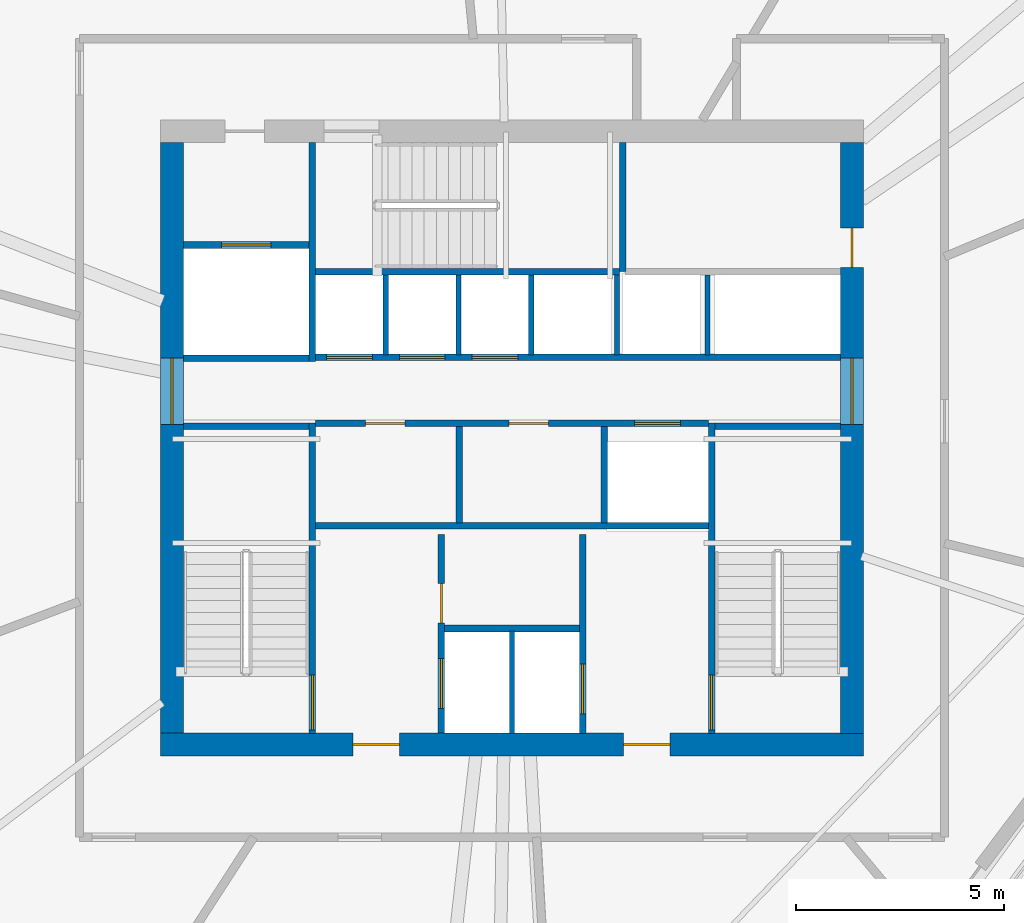
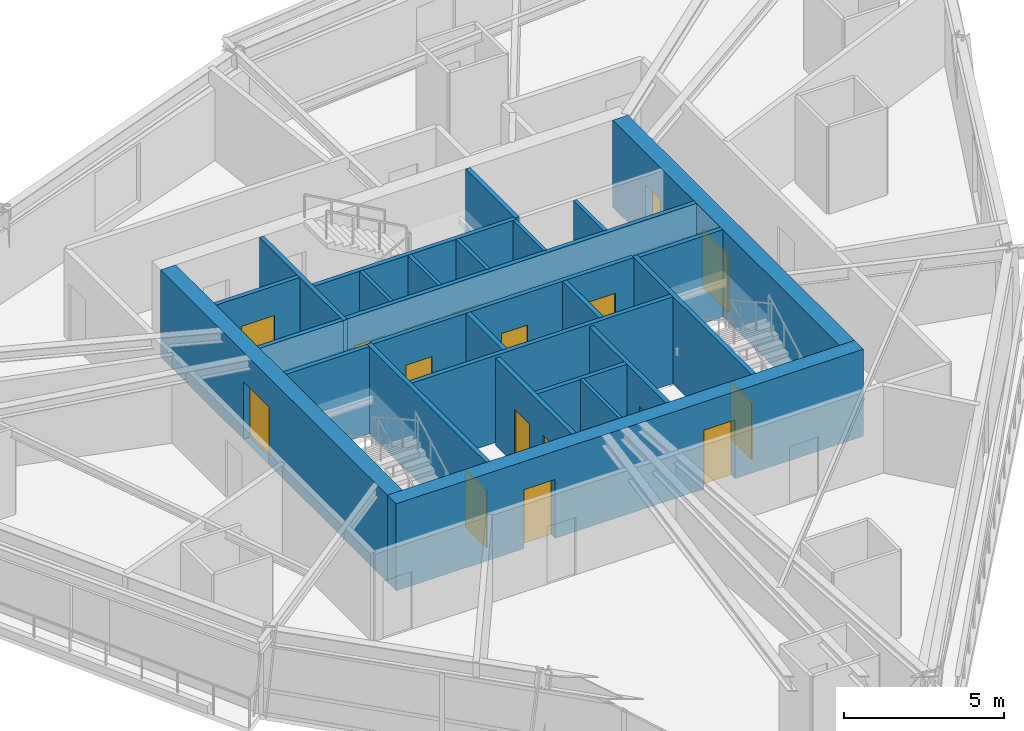
# One storey, part 9 of 14: 26 walls, 17 doors, 17 openings.
"""IFC4 building model written with IfcOpenShell, lengths in metres."""

from ifc_helpers import new_model, si_unit, direction, frame, frame_2d, origin, place, context, subcontext, project, spatial, rectangle, extrude, source, transform, mapped, material, layer, layer_set, type_object, type_shapes, element, fill, save


model = new_model("IFC4")

# Units and contexts
model_context = context("Model", 3, precision=1e-05, world=origin(), true_north=direction((0.0, 1.0)))
body_context = subcontext(model_context, "Body", "Model", "MODEL_VIEW")
ifc_project = project(units=[si_unit("LENGTHUNIT", "METRE"), si_unit("AREAUNIT", "SQUARE_METRE"), si_unit("VOLUMEUNIT", "CUBIC_METRE"), si_unit("PLANEANGLEUNIT", "RADIAN"), si_unit("MASSUNIT", "GRAM", prefix="KILO")], contexts=[model_context])

# Site, building, storey
site_placement = place(None, origin())
site = spatial("IfcSite", under=ifc_project, at=site_placement, CompositionType="ELEMENT")
building_placement = place(site_placement, origin())
building = spatial("IfcBuilding", under=site, at=building_placement, Name="Olszyna Solenne Hotel", CompositionType="ELEMENT")
storey_placement = place(building_placement, frame((0.0, 0.0, 182.10009765625)))
storey = spatial("IfcBuildingStorey", under=building, at=storey_placement, Name="L48", CompositionType="ELEMENT", Elevation=182.10009765625)

# Wall, openings, doors
ifc_material_1 = material(Name="Concrete C50/60", Category="concrete")
ifc_layer_1 = layer(ifc_material_1, 0.550048828125, Name="Concrete C50/60")
ifc_layer_set_1 = layer_set([ifc_layer_1], Name="Concrete C50/60")
wall_type_1 = type_object("IfcWallType", Name="WL-CR550", PredefinedType="SHEAR", material=ifc_layer_set_1)
wall_1_placement = place(storey_placement, frame((46.449951171875, 19.22509765625, 0.0), z_axis=(0.0, 0.0, 1.0), x_axis=(-1.0, 0.0, 0.0)))
wall_1 = element("IfcWall", 1, at=wall_1_placement, inside=storey, type_object=wall_type_1, Name="Core shear wall WL-CR550 CRW-L48-S", PredefinedType="SHEAR", context=body_context, shape_type="SweptSolid", body=[
    extrude(rectangle(XDim=16.89990234375, YDim=0.550048828125, at=frame_2d((8.449951171875, 0.0))), origin(), (0.0, 0.0, 1.0), 3.329833984375),
])
opening_1_placement = place(wall_1_placement, frame((4.64990234375, 0.0, 0.0)))
opening_1 = element("IfcOpeningElement", 2, at=opening_1_placement, cuts=wall_1, Name="Opening FL-L48-1", PredefinedType="OPENING", context=body_context, shape_type="SweptSolid", body=[
    extrude(rectangle(XDim=1.1201171875, YDim=2.25, at=frame_2d((0.56005859375, 1.125))), frame((0.0, 0.28515625, 0.0), z_axis=(0.0, -1.0, 0.0), x_axis=(1.0, 0.0, 0.0)), (0.0, 0.0, 1.0), 0.570068359375),
])
opening_2_placement = place(wall_1_placement, frame((11.14990234375, 0.0, 0.0)))
opening_2 = element("IfcOpeningElement", 3, at=opening_2_placement, cuts=wall_1, Name="Opening FL-L48-2", PredefinedType="OPENING", context=body_context, shape_type="SweptSolid", body=[
    extrude(rectangle(XDim=1.1201171875, YDim=2.25, at=frame_2d((0.56005859375, 1.125))), frame((0.0, 0.28515625, 0.0), z_axis=(0.0, -1.0, 0.0), x_axis=(1.0, 0.0, 0.0)), (0.0, 0.0, 1.0), 0.570068359375),
])
ifc_material_2 = material(Name="Steel S355J2", Category="steel")
door_type_1 = type_object("IfcDoorType", Name="DR-FL1", OperationType="NOTDEFINED", PredefinedType="DOOR", material=ifc_material_2)
shared_shape_1 = source(origin(), body_context, "Body", "SweptSolid", [
    extrude(rectangle(XDim=1.1201171875, YDim=2.25, at=frame_2d((0.56005859375, 1.125))), frame((0.0, 0.02490234375, 0.0), z_axis=(0.0, -1.0, 0.0), x_axis=(1.0, 0.0, 0.0)), (0.0, 0.0, 1.0), 0.050048828125),
])
type_shapes(door_type_1, [shared_shape_1])
door_1_placement = place(opening_1_placement, origin())
door_1 = element("IfcDoor", 4, at=door_1_placement, inside=storey, type_object=door_type_1, Name="Firefighting lift lobby smoke door FL-L48-1", OperationType="SINGLE_SWING_LEFT", OverallHeight=2.25, OverallWidth=1.1201171875, PredefinedType="DOOR", context=body_context, shape_type="MappedRepresentation", body=[
    mapped(shared_shape_1, transform((0.0, 0.0, 0.0), x_axis=(1.0, 0.0, 0.0), y_axis=(0.0, 1.0, 0.0), z_axis=(0.0, 0.0, 1.0), scale=1.0)),
])
fill(opening_1, door_1)
door_2_placement = place(opening_2_placement, origin())
door_2 = element("IfcDoor", 5, at=door_2_placement, inside=storey, type_object=door_type_1, Name="Firefighting lift lobby smoke door FL-L48-2", OperationType="SINGLE_SWING_RIGHT", OverallHeight=2.25, OverallWidth=1.1201171875, PredefinedType="DOOR", context=body_context, shape_type="MappedRepresentation", body=[
    mapped(shared_shape_1, transform((0.0, 0.0, 0.0), x_axis=(1.0, 0.0, 0.0), y_axis=(0.0, 1.0, 0.0), z_axis=(0.0, 0.0, 1.0), scale=1.0)),
])
fill(opening_2, door_2)

# Wall, opening, door
wall_2_placement = place(storey_placement, frame((29.824951171875, 19.5, 0.0), z_axis=(0.0, 0.0, 1.0), x_axis=(0.0, 1.0, 0.0)))
wall_2 = element("IfcWall", 6, at=wall_2_placement, inside=storey, type_object=wall_type_1, Name="Core shear wall WL-CR550 CRW-L48-W", PredefinedType="SHEAR", context=body_context, shape_type="SweptSolid", body=[
    extrude(rectangle(XDim=14.199951171875, YDim=0.550048828125, at=frame_2d((7.10009765625, 0.0))), origin(), (0.0, 0.0, 1.0), 3.329833984375),
])
opening_3_placement = place(wall_2_placement, frame((7.419921875, 0.0, 0.0)))
opening_3 = element("IfcOpeningElement", 7, at=opening_3_placement, cuts=wall_2, Name="Opening LHD-L48-W", PredefinedType="OPENING", context=body_context, shape_type="SweptSolid", body=[
    extrude(rectangle(XDim=1.60009765625, YDim=2.199951171875, at=frame_2d((0.800048828125, 1.10009765625))), frame((0.0, 0.28515625, 0.0), z_axis=(0.0, -1.0, 0.0), x_axis=(1.0, 0.0, 0.0)), (0.0, 0.0, 1.0), 0.570068359375),
])
ifc_material_3 = material(Name="Timber hardwood", Category="wood")
door_type_2 = type_object("IfcDoorType", Name="DR-CR1", OperationType="DOUBLE_DOOR_SINGLE_SWING", PredefinedType="DOOR", material=ifc_material_3)
shared_shape_2 = source(origin(), body_context, "Body", "SweptSolid", [
    extrude(rectangle(XDim=1.60009765625, YDim=2.199951171875, at=frame_2d((0.800048828125, 1.10009765625))), frame((0.0, 0.02490234375, 0.0), z_axis=(0.0, -1.0, 0.0), x_axis=(1.0, 0.0, 0.0)), (0.0, 0.0, 1.0), 0.050048828125),
])
type_shapes(door_type_2, [shared_shape_2])
door_3_placement = place(opening_3_placement, origin())
door_3 = element("IfcDoor", 8, at=door_3_placement, inside=storey, type_object=door_type_2, Name="Passenger lift lobby West fire door LHD-L48-W", OperationType="DOUBLE_DOOR_SINGLE_SWING", OverallHeight=2.199951171875, OverallWidth=1.60009765625, PredefinedType="DOOR", context=body_context, shape_type="MappedRepresentation", body=[
    mapped(shared_shape_2, transform((0.0, 0.0, 0.0), x_axis=(1.0, 0.0, 0.0), y_axis=(0.0, 1.0, 0.0), z_axis=(0.0, 0.0, 1.0), scale=1.0)),
])
fill(opening_3, door_3)

# Wall, openings, doors
wall_3_placement = place(storey_placement, frame((46.175048828125, 33.699951171875, 0.0), z_axis=(0.0, 0.0, 1.0), x_axis=(0.0, -1.0, 0.0)))
wall_3 = element("IfcWall", 9, at=wall_3_placement, inside=storey, type_object=wall_type_1, Name="Core shear wall WL-CR550 CRW-L48-E", PredefinedType="SHEAR", context=body_context, shape_type="SweptSolid", body=[
    extrude(rectangle(XDim=14.199951171875, YDim=0.550048828125, at=frame_2d((7.10009765625, 0.0))), origin(), (0.0, 0.0, 1.0), 3.329833984375),
])
opening_4_placement = place(wall_3_placement, frame((5.179931640625, 0.0, 0.0)))
opening_4 = element("IfcOpeningElement", 10, at=opening_4_placement, cuts=wall_3, Name="Opening LHD-L48-E", PredefinedType="OPENING", context=body_context, shape_type="SweptSolid", body=[
    extrude(rectangle(XDim=1.60009765625, YDim=2.199951171875, at=frame_2d((0.800048828125, 1.10009765625))), frame((0.0, 0.28515625, 0.0), z_axis=(0.0, -1.0, 0.0), x_axis=(1.0, 0.0, 0.0)), (0.0, 0.0, 1.0), 0.570068359375),
])
opening_5_placement = place(wall_3_placement, frame((2.050048828125, 0.0, 0.0)))
opening_5 = element("IfcOpeningElement", 11, at=opening_5_placement, cuts=wall_3, Name="Opening SVD-L48-BE", PredefinedType="OPENING", context=body_context, shape_type="SweptSolid", body=[
    extrude(rectangle(XDim=0.949951171875, YDim=2.10009765625, at=frame_2d((0.47509765625, 1.050048828125))), frame((0.0, 0.28515625, 0.0), z_axis=(0.0, -1.0, 0.0), x_axis=(1.0, 0.0, 0.0)), (0.0, 0.0, 1.0), 0.570068359375),
])
door_type_3 = type_object("IfcDoorType", Name="DR-SV1", OperationType="NOTDEFINED", PredefinedType="DOOR", material=ifc_material_2)
shared_shape_3 = source(origin(), body_context, "Body", "SweptSolid", [
    extrude(rectangle(XDim=0.949951171875, YDim=2.10009765625, at=frame_2d((0.47509765625, 1.050048828125))), frame((0.0, 0.02490234375, 0.0), z_axis=(0.0, -1.0, 0.0), x_axis=(1.0, 0.0, 0.0)), (0.0, 0.0, 1.0), 0.050048828125),
])
type_shapes(door_type_3, [shared_shape_3])
door_4_placement = place(opening_5_placement, origin())
door_4 = element("IfcDoor", 12, at=door_4_placement, inside=storey, type_object=door_type_3, Name="Housekeeping core fire door SVD-L48-BE", OperationType="SINGLE_SWING_RIGHT", OverallHeight=2.10009765625, OverallWidth=0.949951171875, PredefinedType="DOOR", context=body_context, shape_type="MappedRepresentation", body=[
    mapped(shared_shape_3, transform((0.0, 0.0, 0.0), x_axis=(1.0, 0.0, 0.0), y_axis=(0.0, 1.0, 0.0), z_axis=(0.0, 0.0, 1.0), scale=1.0)),
])
fill(opening_5, door_4)
door_5_placement = place(opening_4_placement, origin())
door_5 = element("IfcDoor", 13, at=door_5_placement, inside=storey, type_object=door_type_2, Name="Passenger lift lobby East fire door LHD-L48-E", OperationType="DOUBLE_DOOR_SINGLE_SWING", OverallHeight=2.199951171875, OverallWidth=1.60009765625, PredefinedType="DOOR", context=body_context, shape_type="MappedRepresentation", body=[
    mapped(shared_shape_2, transform((0.0, 0.0, 0.0), x_axis=(1.0, 0.0, 0.0), y_axis=(0.0, 1.0, 0.0), z_axis=(0.0, 0.0, 1.0), scale=1.0)),
])
fill(opening_4, door_5)

# Walls
ifc_material_4 = material(Name="Acoustic gypsum partition", Category="gypsum")
ifc_layer_2 = layer(ifc_material_4, 0.125, Name="Acoustic gypsum partition")
ifc_layer_set_2 = layer_set([ifc_layer_2], Name="Acoustic gypsum partition")
wall_type_2 = type_object("IfcWallType", Name="WL-PT125", PredefinedType="PARTITIONING", material=ifc_layer_set_2)
wall_4_placement = place(storey_placement, frame((38.0, 19.5, 0.0), z_axis=(0.0, 0.0, 1.0), x_axis=(0.0, 1.0, 0.0)))
element("IfcWall", 14, at=wall_4_placement, inside=storey, type_object=wall_type_2, Name="Core shaft compartment wall CW-L48-FFM", PredefinedType="PARTITIONING", context=body_context, shape_type="SweptSolid", body=[
    extrude(rectangle(XDim=2.4599609375, YDim=0.125, at=frame_2d((1.22998046875, 0.0))), origin(), (0.0, 0.0, 1.0), 3.329833984375),
])
for number, where, z_axis, x_axis, name in (
    (15, (34.965087890625, 28.60009765625, 0.0), (0.0, 0.0, 1.0), (0.0, 1.0, 0.0), "Core shaft compartment wall CW-L48-DIVN349"),
    (16, (36.715087890625, 28.60009765625, 0.0), (0.0, 0.0, 1.0), (0.0, 1.0, 0.0), "Core shaft compartment wall CW-L48-DIVN367"),
    (17, (38.465087890625, 28.60009765625, 0.0), (0.0, 0.0, 1.0), (0.0, 1.0, 0.0), "Core shaft compartment wall CW-L48-DIVN384"),
    (18, (40.52490234375, 28.60009765625, 0.0), (0.0, 0.0, 1.0), (0.0, 1.0, 0.0), "Core shaft compartment wall CW-L48-DIVEX405"),
    (19, (42.699951171875, 28.60009765625, 0.0), (0.0, 0.0, 1.0), (0.0, 1.0, 0.0), "Core shaft compartment wall CW-L48-DIVEX427"),
):
    element("IfcWall", number, at=place(storey_placement, frame(where, z_axis=z_axis, x_axis=x_axis)), inside=storey, type_object=wall_type_2, Name=name, PredefinedType="PARTITIONING", context=body_context, shape_type="SweptSolid", body=[
        extrude(rectangle(XDim=1.919921875, YDim=0.125, at=frame_2d((0.9599609375, 0.0))), origin(), (0.0, 0.0, 1.0), 3.329833984375),
    ])

# Wall, opening, door
ifc_layer_3 = layer(ifc_material_4, 0.159912109375, Name="Acoustic gypsum partition")
ifc_layer_set_3 = layer_set([ifc_layer_3], Name="Acoustic gypsum partition")
wall_type_3 = type_object("IfcWallType", Name="WL-PT160", PredefinedType="PARTITIONING", material=ifc_layer_set_3)
wall_5_placement = place(storey_placement, frame((33.199951171875, 19.5, 0.0), z_axis=(0.0, 0.0, 1.0), x_axis=(0.0, 1.0, 0.0)))
wall_5 = element("IfcWall", 20, at=wall_5_placement, inside=storey, type_object=wall_type_3, Name="Core shaft compartment wall CW-L48-ST1E", PredefinedType="PARTITIONING", context=body_context, shape_type="SweptSolid", body=[
    extrude(rectangle(XDim=7.4599609375, YDim=0.159912109375, at=frame_2d((3.72998046875, 0.0))), origin(), (0.0, 0.0, 1.0), 3.329833984375),
])
opening_6_placement = place(wall_5_placement, frame((0.080078125, 0.0, 0.0)))
opening_6 = element("IfcOpeningElement", 21, at=opening_6_placement, cuts=wall_5, Name="Opening STD-L48-01", PredefinedType="OPENING", context=body_context, shape_type="SweptSolid", body=[
    extrude(rectangle(XDim=1.320068359375, YDim=2.199951171875, at=frame_2d((0.66015625, 1.10009765625))), frame((0.0, 0.08984375, 0.0), z_axis=(0.0, -1.0, 0.0), x_axis=(1.0, 0.0, 0.0)), (0.0, 0.0, 1.0), 0.179931640625),
])
door_type_4 = type_object("IfcDoorType", Name="DR-ST1", OperationType="NOTDEFINED", PredefinedType="DOOR", material=ifc_material_2)
shared_shape_4 = source(origin(), body_context, "Body", "SweptSolid", [
    extrude(rectangle(XDim=1.320068359375, YDim=2.199951171875, at=frame_2d((0.66015625, 1.10009765625))), frame((0.0, 0.02490234375, 0.0), z_axis=(0.0, -1.0, 0.0), x_axis=(1.0, 0.0, 0.0)), (0.0, 0.0, 1.0), 0.050048828125),
])
type_shapes(door_type_4, [shared_shape_4])
door_6_placement = place(opening_6_placement, origin())
door_6 = element("IfcDoor", 22, at=door_6_placement, inside=storey, type_object=door_type_4, Name="Pressurised exit stair ST1 fire door STD-L48-01", OperationType="SINGLE_SWING_LEFT", OverallHeight=2.199951171875, OverallWidth=1.320068359375, PredefinedType="DOOR", context=body_context, shape_type="MappedRepresentation", body=[
    mapped(shared_shape_4, transform((0.0, 0.0, 0.0), x_axis=(1.0, 0.0, 0.0), y_axis=(0.0, 1.0, 0.0), z_axis=(0.0, 0.0, 1.0), scale=1.0)),
])
fill(opening_6, door_6)

# Wall
wall_6_placement = place(storey_placement, frame((30.10009765625, 26.8798828125, 0.0), z_axis=(0.0, 0.0, 1.0), x_axis=(1.0, 0.0, 0.0)))
element("IfcWall", 23, at=wall_6_placement, inside=storey, type_object=wall_type_3, Name="Core shaft compartment wall CW-L48-ST1N", PredefinedType="PARTITIONING", context=body_context, shape_type="SweptSolid", body=[
    extrude(rectangle(XDim=3.02001953125, YDim=0.159912109375, at=frame_2d((1.510009765625, 0.0))), origin(), (0.0, 0.0, 1.0), 3.329833984375),
])

# Wall, opening, door
wall_7_placement = place(storey_placement, frame((42.800048828125, 26.9599609375, 0.0), z_axis=(0.0, 0.0, 1.0), x_axis=(0.0, -1.0, 0.0)))
wall_7 = element("IfcWall", 24, at=wall_7_placement, inside=storey, type_object=wall_type_3, Name="Core shaft compartment wall CW-L48-ST2W", PredefinedType="PARTITIONING", context=body_context, shape_type="SweptSolid", body=[
    extrude(rectangle(XDim=7.4599609375, YDim=0.159912109375, at=frame_2d((3.72998046875, 0.0))), origin(), (0.0, 0.0, 1.0), 3.329833984375),
])
opening_7_placement = place(wall_7_placement, frame((6.06005859375, 0.0, 0.0)))
opening_7 = element("IfcOpeningElement", 25, at=opening_7_placement, cuts=wall_7, Name="Opening STD-L48-02", PredefinedType="OPENING", context=body_context, shape_type="SweptSolid", body=[
    extrude(rectangle(XDim=1.320068359375, YDim=2.199951171875, at=frame_2d((0.66015625, 1.10009765625))), frame((0.0, 0.08984375, 0.0), z_axis=(0.0, -1.0, 0.0), x_axis=(1.0, 0.0, 0.0)), (0.0, 0.0, 1.0), 0.179931640625),
])
door_7_placement = place(opening_7_placement, origin())
door_7 = element("IfcDoor", 26, at=door_7_placement, inside=storey, type_object=door_type_4, Name="Pressurised exit stair ST2 fire door STD-L48-02", OperationType="SINGLE_SWING_RIGHT", OverallHeight=2.199951171875, OverallWidth=1.320068359375, PredefinedType="DOOR", context=body_context, shape_type="MappedRepresentation", body=[
    mapped(shared_shape_4, transform((0.0, 0.0, 0.0), x_axis=(1.0, 0.0, 0.0), y_axis=(0.0, 1.0, 0.0), z_axis=(0.0, 0.0, 1.0), scale=1.0)),
])
fill(opening_7, door_7)

# Walls
wall_8_placement = place(storey_placement, frame((42.8798828125, 26.8798828125, 0.0), z_axis=(0.0, 0.0, 1.0), x_axis=(1.0, 0.0, 0.0)))
element("IfcWall", 27, at=wall_8_placement, inside=storey, type_object=wall_type_3, Name="Core shaft compartment wall CW-L48-ST2N", PredefinedType="PARTITIONING", context=body_context, shape_type="SweptSolid", body=[
    extrude(rectangle(XDim=3.02001953125, YDim=0.159912109375, at=frame_2d((1.510009765625, 0.0))), origin(), (0.0, 0.0, 1.0), 3.329833984375),
])
wall_9_placement = place(storey_placement, frame((33.280029296875, 30.60009765625, 0.0), z_axis=(0.0, 0.0, 1.0), x_axis=(1.0, 0.0, 0.0)))
element("IfcWall", 28, at=wall_9_placement, inside=storey, type_object=wall_type_3, Name="Core shaft compartment wall CW-L48-ST3S", PredefinedType="PARTITIONING", context=body_context, shape_type="SweptSolid", body=[
    extrude(rectangle(XDim=7.300048828125, YDim=0.159912109375, at=frame_2d((3.64990234375, 0.0))), origin(), (0.0, 0.0, 1.0), 3.329833984375),
])
wall_10_placement = place(storey_placement, frame((40.659912109375, 30.60009765625, 0.0), z_axis=(0.0, 0.0, 1.0), x_axis=(0.0, 1.0, 0.0)))
element("IfcWall", 29, at=wall_10_placement, inside=storey, type_object=wall_type_3, Name="Core shaft compartment wall CW-L48-ST3E", PredefinedType="PARTITIONING", context=body_context, shape_type="SweptSolid", body=[
    extrude(rectangle(XDim=3.099853515625, YDim=0.159912109375, at=frame_2d((1.5498046875, 0.0))), origin(), (0.0, 0.0, 1.0), 3.329833984375),
])

# Wall, openings, doors
wall_11_placement = place(storey_placement, frame((36.300048828125, 19.5, 0.0), z_axis=(0.0, 0.0, 1.0), x_axis=(0.0, 1.0, 0.0)))
wall_11 = element("IfcWall", 30, at=wall_11_placement, inside=storey, type_object=wall_type_3, Name="Core shaft compartment wall CW-L48-FF1W", PredefinedType="PARTITIONING", context=body_context, shape_type="SweptSolid", body=[
    extrude(rectangle(XDim=4.780029296875, YDim=0.159912109375, at=frame_2d((2.39013671875, 0.0))), origin(), (0.0, 0.0, 1.0), 3.329833984375),
])
opening_8_placement = place(wall_11_placement, frame((0.60009765625, 0.0, 0.0)))
opening_8 = element("IfcOpeningElement", 31, at=opening_8_placement, cuts=wall_11, Name="Opening LD-L48-FF1", PredefinedType="OPENING", context=body_context, shape_type="SweptSolid", body=[
    extrude(rectangle(XDim=1.199951171875, YDim=2.199951171875, at=frame_2d((0.60009765625, 1.10009765625))), frame((0.0, 0.08984375, 0.0), z_axis=(0.0, -1.0, 0.0), x_axis=(1.0, 0.0, 0.0)), (0.0, 0.0, 1.0), 0.179931640625),
])
opening_9_placement = place(wall_11_placement, frame((2.64990234375, 0.0, 0.0)))
opening_9 = element("IfcOpeningElement", 32, at=opening_9_placement, cuts=wall_11, Name="Opening SVD-L48-SMK", PredefinedType="OPENING", context=body_context, shape_type="SweptSolid", body=[
    extrude(rectangle(XDim=0.949951171875, YDim=2.10009765625, at=frame_2d((0.47509765625, 1.050048828125))), frame((0.0, 0.08984375, 0.0), z_axis=(0.0, -1.0, 0.0), x_axis=(1.0, 0.0, 0.0)), (0.0, 0.0, 1.0), 0.179931640625),
])
door_8_placement = place(opening_9_placement, origin())
door_8 = element("IfcDoor", 33, at=door_8_placement, inside=storey, type_object=door_type_3, Name="Valet and core service room door SVD-L48-SMK", OperationType="SINGLE_SWING_LEFT", OverallHeight=2.10009765625, OverallWidth=0.949951171875, PredefinedType="DOOR", context=body_context, shape_type="MappedRepresentation", body=[
    mapped(shared_shape_3, transform((0.0, 0.0, 0.0), x_axis=(1.0, 0.0, 0.0), y_axis=(0.0, 1.0, 0.0), z_axis=(0.0, 0.0, 1.0), scale=1.0)),
])
fill(opening_9, door_8)
door_type_5 = type_object("IfcDoorType", Name="LD-FF1", OperationType="DOUBLE_DOOR_SLIDING", PredefinedType="DOOR", material=ifc_material_2)
shared_shape_5 = source(origin(), body_context, "Body", "SweptSolid", [
    extrude(rectangle(XDim=1.199951171875, YDim=2.199951171875, at=frame_2d((0.60009765625, 1.10009765625))), frame((0.0, 0.02490234375, 0.0), z_axis=(0.0, -1.0, 0.0), x_axis=(1.0, 0.0, 0.0)), (0.0, 0.0, 1.0), 0.050048828125),
])
type_shapes(door_type_5, [shared_shape_5])
door_9_placement = place(opening_8_placement, origin())
door_9 = element("IfcDoor", 34, at=door_9_placement, inside=storey, type_object=door_type_5, Name="Firefighters lift FF1 sliding landing door LD-L48-FF1", OperationType="DOUBLE_DOOR_SLIDING", OverallHeight=2.199951171875, OverallWidth=1.199951171875, PredefinedType="DOOR", context=body_context, shape_type="MappedRepresentation", body=[
    mapped(shared_shape_5, transform((0.0, 0.0, 0.0), x_axis=(1.0, 0.0, 0.0), y_axis=(0.0, 1.0, 0.0), z_axis=(0.0, 0.0, 1.0), scale=1.0)),
])
fill(opening_8, door_9)

# Wall, opening, door
wall_12_placement = place(storey_placement, frame((39.699951171875, 24.280029296875, 0.0), z_axis=(0.0, 0.0, 1.0), x_axis=(0.0, -1.0, 0.0)))
wall_12 = element("IfcWall", 35, at=wall_12_placement, inside=storey, type_object=wall_type_3, Name="Core shaft compartment wall CW-L48-FF2E", PredefinedType="PARTITIONING", context=body_context, shape_type="SweptSolid", body=[
    extrude(rectangle(XDim=4.780029296875, YDim=0.159912109375, at=frame_2d((2.39013671875, 0.0))), origin(), (0.0, 0.0, 1.0), 3.329833984375),
])
opening_10_placement = place(wall_12_placement, frame((3.1201171875, 0.0, 0.0)))
opening_10 = element("IfcOpeningElement", 36, at=opening_10_placement, cuts=wall_12, Name="Opening LD-L48-FF2", PredefinedType="OPENING", context=body_context, shape_type="SweptSolid", body=[
    extrude(rectangle(XDim=1.199951171875, YDim=2.199951171875, at=frame_2d((0.60009765625, 1.10009765625))), frame((0.0, 0.08984375, 0.0), z_axis=(0.0, -1.0, 0.0), x_axis=(1.0, 0.0, 0.0)), (0.0, 0.0, 1.0), 0.179931640625),
])
door_10_placement = place(opening_10_placement, origin())
door_10 = element("IfcDoor", 37, at=door_10_placement, inside=storey, type_object=door_type_5, Name="Firefighters lift FF2 sliding landing door LD-L48-FF2", OperationType="DOUBLE_DOOR_SLIDING", OverallHeight=2.199951171875, OverallWidth=1.199951171875, PredefinedType="DOOR", context=body_context, shape_type="MappedRepresentation", body=[
    mapped(shared_shape_5, transform((0.0, 0.0, 0.0), x_axis=(1.0, 0.0, 0.0), y_axis=(0.0, 1.0, 0.0), z_axis=(0.0, 0.0, 1.0), scale=1.0)),
])
fill(opening_10, door_10)

# Walls
wall_13_placement = place(storey_placement, frame((36.3798828125, 22.02001953125, 0.0), z_axis=(0.0, 0.0, 1.0), x_axis=(1.0, 0.0, 0.0)))
element("IfcWall", 38, at=wall_13_placement, inside=storey, type_object=wall_type_3, Name="Core shaft compartment wall CW-L48-FFN", PredefinedType="PARTITIONING", context=body_context, shape_type="SweptSolid", body=[
    extrude(rectangle(XDim=3.240234375, YDim=0.159912109375, at=frame_2d((1.6201171875, 0.0))), origin(), (0.0, 0.0, 1.0), 3.329833984375),
])
wall_14_placement = place(storey_placement, frame((33.280029296875, 24.489990234375, 0.0), z_axis=(0.0, 0.0, 1.0), x_axis=(1.0, 0.0, 0.0)))
element("IfcWall", 39, at=wall_14_placement, inside=storey, type_object=wall_type_3, Name="Core shaft compartment wall CW-L48-FFBN", PredefinedType="PARTITIONING", context=body_context, shape_type="SweptSolid", body=[
    extrude(rectangle(XDim=9.43994140625, YDim=0.159912109375, at=frame_2d((4.719970703125, 0.0))), origin(), (0.0, 0.0, 1.0), 3.329833984375),
])
wall_15_placement = place(storey_placement, frame((30.10009765625, 28.52001953125, 0.0), z_axis=(0.0, 0.0, 1.0), x_axis=(1.0, 0.0, 0.0)))
element("IfcWall", 40, at=wall_15_placement, inside=storey, type_object=wall_type_3, Name="Core shaft compartment wall CW-L48-SV1S", PredefinedType="PARTITIONING", context=body_context, shape_type="SweptSolid", body=[
    extrude(rectangle(XDim=3.02001953125, YDim=0.159912109375, at=frame_2d((1.510009765625, 0.0))), origin(), (0.0, 0.0, 1.0), 3.329833984375),
])
wall_16_placement = place(storey_placement, frame((33.199951171875, 28.43994140625, 0.0), z_axis=(0.0, 0.0, 1.0), x_axis=(0.0, 1.0, 0.0)))
element("IfcWall", 41, at=wall_16_placement, inside=storey, type_object=wall_type_3, Name="Core shaft compartment wall CW-L48-SV1E", PredefinedType="PARTITIONING", context=body_context, shape_type="SweptSolid", body=[
    extrude(rectangle(XDim=5.260009765625, YDim=0.159912109375, at=frame_2d((2.6298828125, 0.0))), origin(), (0.0, 0.0, 1.0), 3.329833984375),
])

# Wall, opening, door
wall_17_placement = place(storey_placement, frame((30.10009765625, 31.239990234375, 0.0), z_axis=(0.0, 0.0, 1.0), x_axis=(1.0, 0.0, 0.0)))
wall_17 = element("IfcWall", 42, at=wall_17_placement, inside=storey, type_object=wall_type_3, Name="Core shaft compartment wall CW-L48-SV1N", PredefinedType="PARTITIONING", context=body_context, shape_type="SweptSolid", body=[
    extrude(rectangle(XDim=3.02001953125, YDim=0.159912109375, at=frame_2d((1.510009765625, 0.0))), origin(), (0.0, 0.0, 1.0), 3.329833984375),
])
opening_11_placement = place(wall_17_placement, frame((0.909912109375, 0.0, 0.0)))
opening_11 = element("IfcOpeningElement", 43, at=opening_11_placement, cuts=wall_17, Name="Opening LD-L48-SV1", PredefinedType="OPENING", context=body_context, shape_type="SweptSolid", body=[
    extrude(rectangle(XDim=1.199951171875, YDim=2.199951171875, at=frame_2d((0.60009765625, 1.10009765625))), frame((0.0, 0.08984375, 0.0), z_axis=(0.0, -1.0, 0.0), x_axis=(1.0, 0.0, 0.0)), (0.0, 0.0, 1.0), 0.179931640625),
])
door_11_placement = place(opening_11_placement, origin())
door_11 = element("IfcDoor", 44, at=door_11_placement, inside=storey, type_object=door_type_5, Name="Service lift SV1 sliding landing door LD-L48-SV1", OperationType="DOUBLE_DOOR_SLIDING", OverallHeight=2.199951171875, OverallWidth=1.199951171875, PredefinedType="DOOR", context=body_context, shape_type="MappedRepresentation", body=[
    mapped(shared_shape_5, transform((0.0, 0.0, 0.0), x_axis=(1.0, 0.0, 0.0), y_axis=(0.0, 1.0, 0.0), z_axis=(0.0, 0.0, 1.0), scale=1.0)),
])
fill(opening_11, door_11)

# Wall, openings, doors
wall_18_placement = place(storey_placement, frame((33.280029296875, 26.949951171875, 0.0), z_axis=(0.0, 0.0, 1.0), x_axis=(1.0, 0.0, 0.0)))
wall_18 = element("IfcWall", 45, at=wall_18_placement, inside=storey, type_object=wall_type_3, Name="Core shaft compartment wall CW-L48-LRS", PredefinedType="PARTITIONING", context=body_context, shape_type="SweptSolid", body=[
    extrude(rectangle(XDim=9.43994140625, YDim=0.159912109375, at=frame_2d((4.719970703125, 0.0))), origin(), (0.0, 0.0, 1.0), 3.329833984375),
])
opening_12_placement = place(wall_18_placement, frame((1.199951171875, 0.0, 0.0)))
opening_12 = element("IfcOpeningElement", 46, at=opening_12_placement, cuts=wall_18, Name="Opening SVD-L48-L71", PredefinedType="OPENING", context=body_context, shape_type="SweptSolid", body=[
    extrude(rectangle(XDim=0.949951171875, YDim=2.10009765625, at=frame_2d((0.47509765625, 1.050048828125))), frame((0.0, 0.08984375, 0.0), z_axis=(0.0, -1.0, 0.0), x_axis=(1.0, 0.0, 0.0)), (0.0, 0.0, 1.0), 0.179931640625),
])
opening_13_placement = place(wall_18_placement, frame((4.64990234375, 0.0, 0.0)))
opening_13 = element("IfcOpeningElement", 47, at=opening_13_placement, cuts=wall_18, Name="Opening SVD-L48-L72", PredefinedType="OPENING", context=body_context, shape_type="SweptSolid", body=[
    extrude(rectangle(XDim=0.949951171875, YDim=2.10009765625, at=frame_2d((0.47509765625, 1.050048828125))), frame((0.0, 0.08984375, 0.0), z_axis=(0.0, -1.0, 0.0), x_axis=(1.0, 0.0, 0.0)), (0.0, 0.0, 1.0), 0.179931640625),
])
opening_14_placement = place(wall_18_placement, frame((7.669921875, 0.0, 0.0)))
opening_14 = element("IfcOpeningElement", 48, at=opening_14_placement, cuts=wall_18, Name="Opening LD-L48-PL5", PredefinedType="OPENING", context=body_context, shape_type="SweptSolid", body=[
    extrude(rectangle(XDim=1.10009765625, YDim=2.199951171875, at=frame_2d((0.550048828125, 1.10009765625))), frame((0.0, 0.08984375, 0.0), z_axis=(0.0, -1.0, 0.0), x_axis=(1.0, 0.0, 0.0)), (0.0, 0.0, 1.0), 0.179931640625),
])
door_12_placement = place(opening_12_placement, origin())
door_12 = element("IfcDoor", 49, at=door_12_placement, inside=storey, type_object=door_type_3, Name="Recaptured core room fire door SVD-L48-L71", OperationType="SINGLE_SWING_LEFT", OverallHeight=2.10009765625, OverallWidth=0.949951171875, PredefinedType="DOOR", context=body_context, shape_type="MappedRepresentation", body=[
    mapped(shared_shape_3, transform((0.0, 0.0, 0.0), x_axis=(1.0, 0.0, 0.0), y_axis=(0.0, 1.0, 0.0), z_axis=(0.0, 0.0, 1.0), scale=1.0)),
])
fill(opening_12, door_12)
door_13_placement = place(opening_13_placement, origin())
door_13 = element("IfcDoor", 50, at=door_13_placement, inside=storey, type_object=door_type_3, Name="Recaptured core room fire door SVD-L48-L72", OperationType="SINGLE_SWING_RIGHT", OverallHeight=2.10009765625, OverallWidth=0.949951171875, PredefinedType="DOOR", context=body_context, shape_type="MappedRepresentation", body=[
    mapped(shared_shape_3, transform((0.0, 0.0, 0.0), x_axis=(1.0, 0.0, 0.0), y_axis=(0.0, 1.0, 0.0), z_axis=(0.0, 0.0, 1.0), scale=1.0)),
])
fill(opening_13, door_13)
door_type_6 = type_object("IfcDoorType", Name="LD-P1", OperationType="DOUBLE_DOOR_SLIDING", PredefinedType="DOOR", material=ifc_material_2)
shared_shape_6 = source(origin(), body_context, "Body", "SweptSolid", [
    extrude(rectangle(XDim=1.10009765625, YDim=2.199951171875, at=frame_2d((0.550048828125, 1.10009765625))), frame((0.0, 0.02490234375, 0.0), z_axis=(0.0, -1.0, 0.0), x_axis=(1.0, 0.0, 0.0)), (0.0, 0.0, 1.0), 0.050048828125),
])
type_shapes(door_type_6, [shared_shape_6])
door_14_placement = place(opening_14_placement, origin())
door_14 = element("IfcDoor", 51, at=door_14_placement, inside=storey, type_object=door_type_6, Name="Passenger lift PL5 sliding landing door LD-L48-PL5", OperationType="DOUBLE_DOOR_SLIDING", OverallHeight=2.199951171875, OverallWidth=1.10009765625, PredefinedType="DOOR", context=body_context, shape_type="MappedRepresentation", body=[
    mapped(shared_shape_6, transform((0.0, 0.0, 0.0), x_axis=(1.0, 0.0, 0.0), y_axis=(0.0, 1.0, 0.0), z_axis=(0.0, 0.0, 1.0), scale=1.0)),
])
fill(opening_14, door_14)

# Walls
for number, where, z_axis, x_axis, name in (
    (52, (36.72998046875, 24.56005859375, 0.0), (0.0, 0.0, 1.0), (0.0, 1.0, 0.0), "Core shaft compartment wall CW-L48-LV7DIV1"),
    (53, (40.215087890625, 24.56005859375, 0.0), (0.0, 0.0, 1.0), (0.0, 1.0, 0.0), "Core shaft compartment wall CW-L48-LV7DIV2"),
):
    element("IfcWall", number, at=place(storey_placement, frame(where, z_axis=z_axis, x_axis=x_axis)), inside=storey, type_object=wall_type_3, Name=name, PredefinedType="PARTITIONING", context=body_context, shape_type="SweptSolid", body=[
        extrude(rectangle(XDim=2.31005859375, YDim=0.159912109375, at=frame_2d((1.155029296875, 0.0))), origin(), (0.0, 0.0, 1.0), 3.329833984375),
    ])

# Wall, openings, doors
wall_19_placement = place(storey_placement, frame((33.280029296875, 28.5400390625, 0.0), z_axis=(0.0, 0.0, 1.0), x_axis=(1.0, 0.0, 0.0)))
wall_19 = element("IfcWall", 54, at=wall_19_placement, inside=storey, type_object=wall_type_3, Name="Core shaft compartment wall CW-L48-LRN", PredefinedType="PARTITIONING", context=body_context, shape_type="SweptSolid", body=[
    extrude(rectangle(XDim=12.619873046875, YDim=0.159912109375, at=frame_2d((6.31005859375, 0.0))), origin(), (0.0, 0.0, 1.0), 3.329833984375),
])
opening_15_placement = place(wall_19_placement, frame((0.260009765625, 0.0, 0.0)))
opening_15 = element("IfcOpeningElement", 55, at=opening_15_placement, cuts=wall_19, Name="Opening LD-L48-PL6", PredefinedType="OPENING", context=body_context, shape_type="SweptSolid", body=[
    extrude(rectangle(XDim=1.10009765625, YDim=2.199951171875, at=frame_2d((0.550048828125, 1.10009765625))), frame((0.0, 0.08984375, 0.0), z_axis=(0.0, -1.0, 0.0), x_axis=(1.0, 0.0, 0.0)), (0.0, 0.0, 1.0), 0.179931640625),
])
opening_16_placement = place(wall_19_placement, frame((2.010009765625, 0.0, 0.0)))
opening_16 = element("IfcOpeningElement", 56, at=opening_16_placement, cuts=wall_19, Name="Opening LD-L48-PL7", PredefinedType="OPENING", context=body_context, shape_type="SweptSolid", body=[
    extrude(rectangle(XDim=1.10009765625, YDim=2.199951171875, at=frame_2d((0.550048828125, 1.10009765625))), frame((0.0, 0.08984375, 0.0), z_axis=(0.0, -1.0, 0.0), x_axis=(1.0, 0.0, 0.0)), (0.0, 0.0, 1.0), 0.179931640625),
])
opening_17_placement = place(wall_19_placement, frame((3.760009765625, 0.0, 0.0)))
opening_17 = element("IfcOpeningElement", 57, at=opening_17_placement, cuts=wall_19, Name="Opening LD-L48-PL8", PredefinedType="OPENING", context=body_context, shape_type="SweptSolid", body=[
    extrude(rectangle(XDim=1.10009765625, YDim=2.199951171875, at=frame_2d((0.550048828125, 1.10009765625))), frame((0.0, 0.08984375, 0.0), z_axis=(0.0, -1.0, 0.0), x_axis=(1.0, 0.0, 0.0)), (0.0, 0.0, 1.0), 0.179931640625),
])
door_15_placement = place(opening_15_placement, origin())
door_15 = element("IfcDoor", 58, at=door_15_placement, inside=storey, type_object=door_type_6, Name="Passenger lift PL6 sliding landing door LD-L48-PL6", OperationType="DOUBLE_DOOR_SLIDING", OverallHeight=2.199951171875, OverallWidth=1.10009765625, PredefinedType="DOOR", context=body_context, shape_type="MappedRepresentation", body=[
    mapped(shared_shape_6, transform((0.0, 0.0, 0.0), x_axis=(1.0, 0.0, 0.0), y_axis=(0.0, 1.0, 0.0), z_axis=(0.0, 0.0, 1.0), scale=1.0)),
])
fill(opening_15, door_15)
door_16_placement = place(opening_16_placement, origin())
door_16 = element("IfcDoor", 59, at=door_16_placement, inside=storey, type_object=door_type_6, Name="Passenger lift PL7 sliding landing door LD-L48-PL7", OperationType="DOUBLE_DOOR_SLIDING", OverallHeight=2.199951171875, OverallWidth=1.10009765625, PredefinedType="DOOR", context=body_context, shape_type="MappedRepresentation", body=[
    mapped(shared_shape_6, transform((0.0, 0.0, 0.0), x_axis=(1.0, 0.0, 0.0), y_axis=(0.0, 1.0, 0.0), z_axis=(0.0, 0.0, 1.0), scale=1.0)),
])
fill(opening_16, door_16)
door_17_placement = place(opening_17_placement, origin())
door_17 = element("IfcDoor", 60, at=door_17_placement, inside=storey, type_object=door_type_6, Name="Passenger lift PL8 sliding landing door LD-L48-PL8", OperationType="DOUBLE_DOOR_SLIDING", OverallHeight=2.199951171875, OverallWidth=1.10009765625, PredefinedType="DOOR", context=body_context, shape_type="MappedRepresentation", body=[
    mapped(shared_shape_6, transform((0.0, 0.0, 0.0), x_axis=(1.0, 0.0, 0.0), y_axis=(0.0, 1.0, 0.0), z_axis=(0.0, 0.0, 1.0), scale=1.0)),
])
fill(opening_17, door_17)

save(model, "model.ifc")
